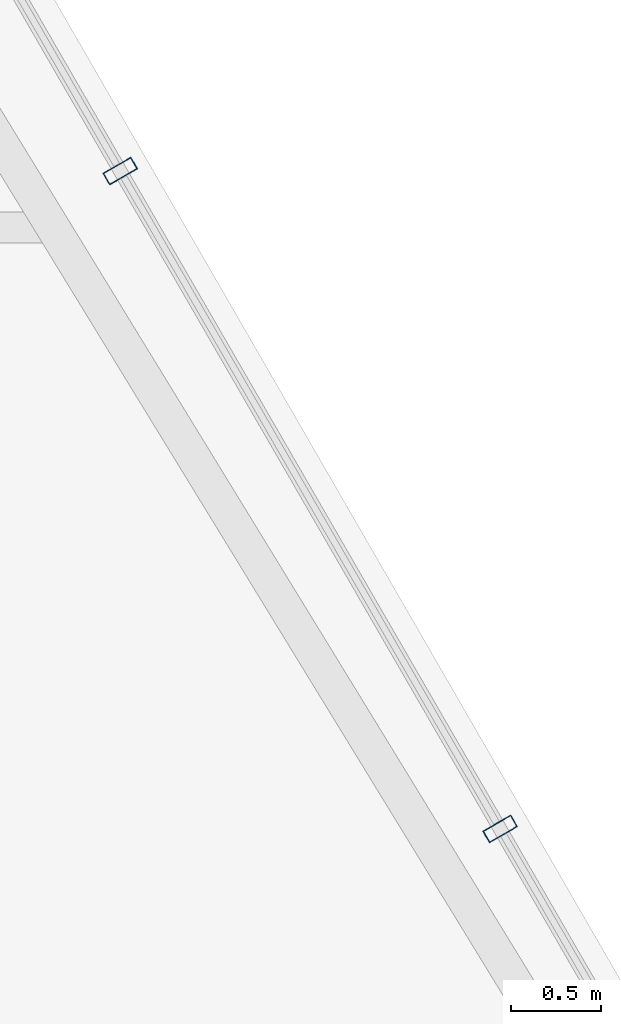
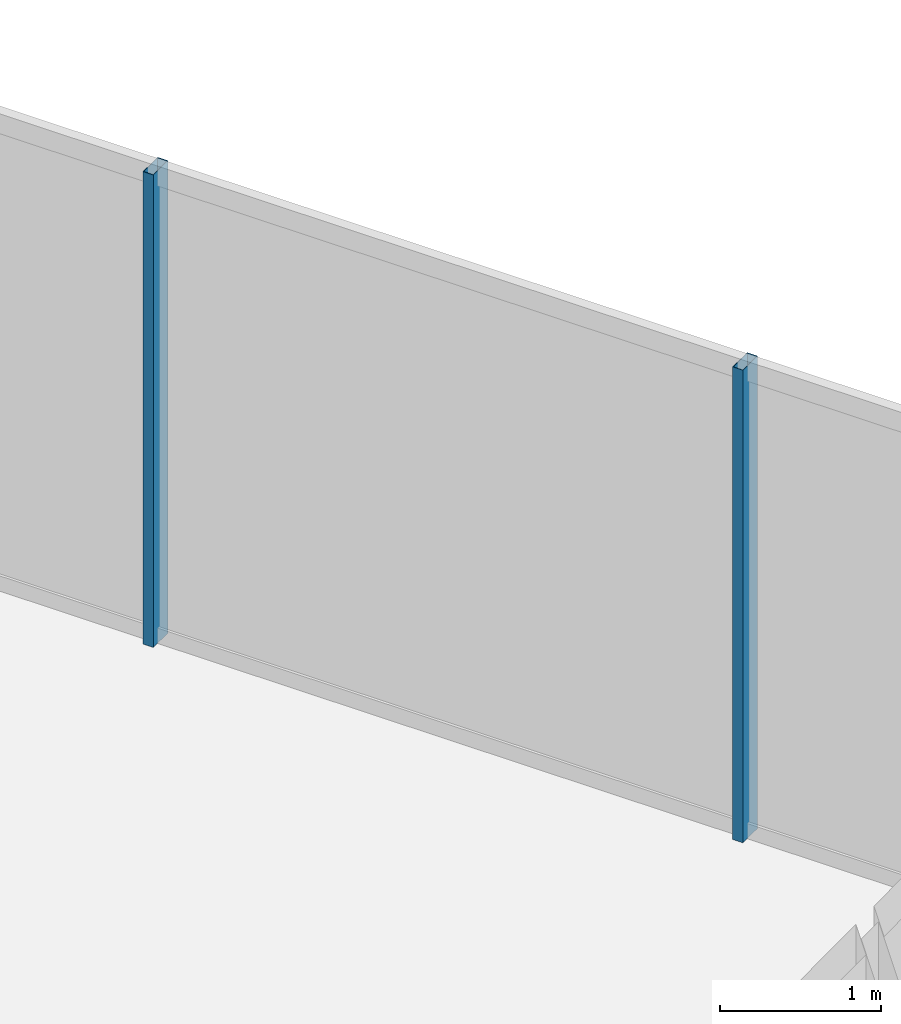
# One storey, part 19 of 33: 2 members, 1 element without a shape of its own.
"""IFC4 building model written with IfcOpenShell, lengths in metres."""

from ifc_helpers import new_model, si_unit, direction, frame, origin, origin_2d, place, context, subcontext, project, spatial, hollow_rectangle, extrude, material, layer, layer_set, material_profile, profile_set, type_object, element, aggregate, save


model = new_model("IFC4")

# Units and contexts
model_context = context("Model", 3, precision=1e-05, world=origin(), true_north=direction((0.0, 1.0)))
body_context = subcontext(model_context, "Body", "Model", "MODEL_VIEW")
ifc_project = project(units=[si_unit("LENGTHUNIT", "METRE"), si_unit("AREAUNIT", "SQUARE_METRE"), si_unit("VOLUMEUNIT", "CUBIC_METRE"), si_unit("PLANEANGLEUNIT", "RADIAN"), si_unit("MASSUNIT", "GRAM", prefix="KILO")], contexts=[model_context])

# Site, building, storey
site_placement = place(None, origin())
site = spatial("IfcSite", under=ifc_project, at=site_placement, CompositionType="ELEMENT")
building_placement = place(site_placement, origin())
building = spatial("IfcBuilding", under=site, at=building_placement, Name="Ndaravel Arena Tower", CompositionType="ELEMENT")
storey_placement = place(building_placement, frame((0.0, 0.0, 187.800048828125)))
storey = spatial("IfcBuildingStorey", under=building, at=storey_placement, Name="L45", CompositionType="ELEMENT", Elevation=187.800048828125)

# Curtain wall, members
ifc_material_1 = material(Name="Aluminium", Category="aluminium")
ifc_layer = layer(ifc_material_1, 0.179931640625)
ifc_layer_set = layer_set([ifc_layer], Name="Aluminium")
curtain_wall_type = type_object("IfcCurtainWallType", Name="CW-SYS-03", PredefinedType="NOTDEFINED", material=ifc_layer_set)
curtain_wall_placement = place(storey_placement, origin())
curtain_wall = element("IfcCurtainWall", 1, at=curtain_wall_placement, inside=storey, type_object=curtain_wall_type, Name="L45 Faceted Crystal Curtain Wall CW-L45-E03", PredefinedType="NOTDEFINED")
ifc_material_2 = material(Name="Aluminium", Category="aluminium")
ifc_material_profile = material_profile(ifc_material_2, hollow_rectangle(XDim=0.074951171875, YDim=0.179931640625, WallThickness=0.00390625, at=origin_2d()), Name="CW MULLION 75x180x4")
ifc_profile_set = profile_set([ifc_material_profile], Name="Aluminium")
member_type = type_object("IfcMemberType", Name="MEM-CW-MUL180", PredefinedType="MULLION", material=ifc_profile_set)
member_1_placement = place(storey_placement, frame((55.1845703125, 31.655517578125, 0.0), z_axis=(0.0, 0.0, 1.0), x_axis=(-0.5, 0.866025403784, 0.0)))
member_1 = element("IfcMember", 2, at=member_1_placement, type_object=member_type, Name="CW-L45-E03 Mullion 05", PredefinedType="MULLION", context=body_context, shape_type="SweptSolid", body=[
    extrude(hollow_rectangle(XDim=0.074951171875, YDim=0.179931640625, WallThickness=0.00390625, at=origin_2d()), origin(), (0.0, 0.0, 1.0), 3.579833984375),
])
member_2_placement = place(storey_placement, frame((53.072021484375, 35.31494140625, 0.0), z_axis=(0.0, 0.0, 1.0), x_axis=(-0.5, 0.866025403784, 0.0)))
member_2 = element("IfcMember", 3, at=member_2_placement, type_object=member_type, Name="CW-L45-E03 Mullion 06", PredefinedType="MULLION", context=body_context, shape_type="SweptSolid", body=[
    extrude(hollow_rectangle(XDim=0.074951171875, YDim=0.179931640625, WallThickness=0.00390625, at=origin_2d()), origin(), (0.0, 0.0, 1.0), 3.579833984375),
])
aggregate(curtain_wall, [member_1, member_2])

save(model, "model.ifc")
